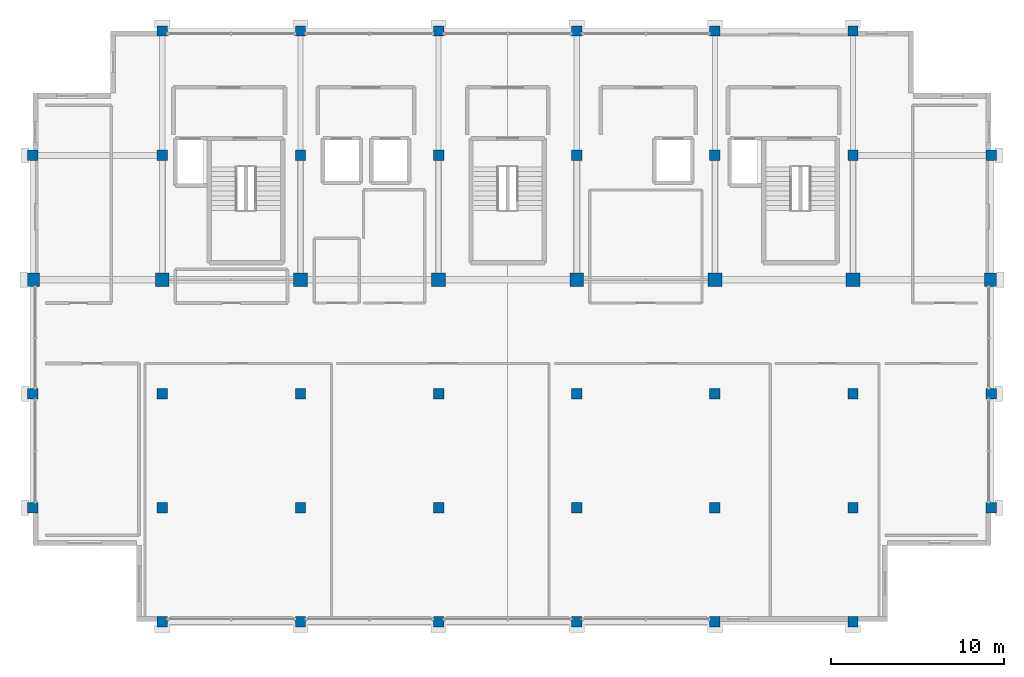
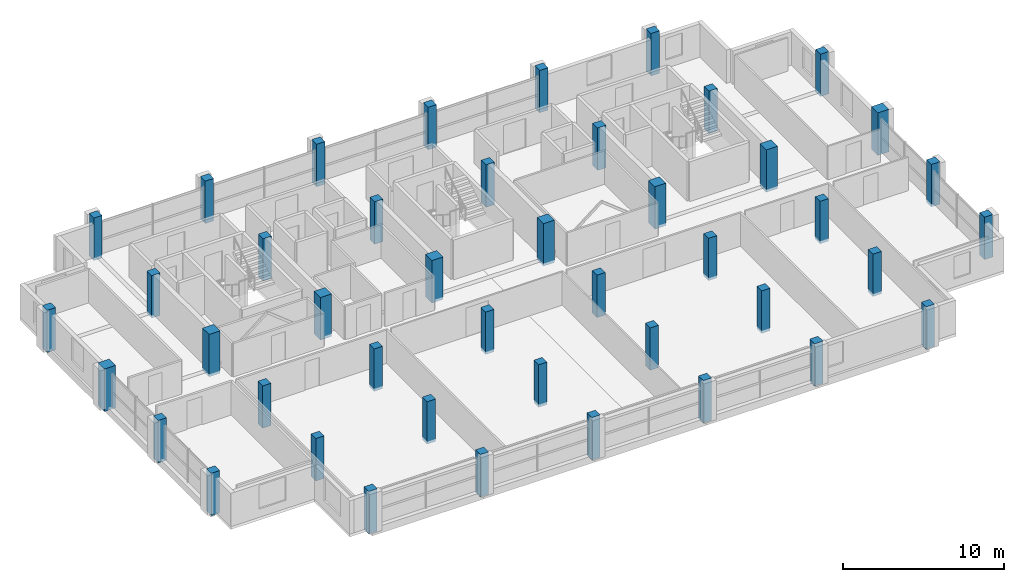
# One storey, part 1 of 24: 44 columns.
"""IFC4 building model written with IfcOpenShell, lengths in metres."""

from ifc_helpers import new_model, si_unit, direction, frame, origin, origin_2d, place, context, subcontext, project, spatial, rectangle, extrude, material, material_profile, profile_set, type_object, element, save


model = new_model("IFC4")

# Units and contexts
model_context = context("Model", 3, precision=1e-05, world=origin(), true_north=direction((0.0, 1.0)))
body_context = subcontext(model_context, "Body", "Model", "MODEL_VIEW")
ifc_project = project(units=[si_unit("LENGTHUNIT", "METRE"), si_unit("AREAUNIT", "SQUARE_METRE"), si_unit("VOLUMEUNIT", "CUBIC_METRE"), si_unit("PLANEANGLEUNIT", "RADIAN"), si_unit("MASSUNIT", "GRAM", prefix="KILO")], contexts=[model_context])

# Site, building, storey
site_placement = place(None, origin())
site = spatial("IfcSite", under=ifc_project, at=site_placement, CompositionType="ELEMENT")
building_placement = place(site_placement, origin())
building = spatial("IfcBuilding", under=site, at=building_placement, Name="Akrevak Sports Hall", CompositionType="ELEMENT")
storey_placement = place(building_placement, frame((0.0, 0.0, 63.300048828125)))
storey = spatial("IfcBuildingStorey", under=building, at=storey_placement, Name="L16", CompositionType="ELEMENT", Elevation=63.300048828125)

# Columns
ifc_material = material(Name="Concrete C40/50", Category="concrete")
ifc_material_profile_1 = material_profile(ifc_material, rectangle(XDim=0.60009765625, YDim=0.60009765625, at=origin_2d()), Name="RC 600x600", Category="concrete")
ifc_profile_set_1 = profile_set([ifc_material_profile_1], Name="Concrete C40/50")
column_type_1 = type_object("IfcColumnType", Name="STR-COL-RC600", PredefinedType="COLUMN", material=ifc_profile_set_1)
for number, where, z_axis, x_axis, name in (
    (1, (52.5, 42.0, -0.2099609375), (0.0, 0.0, 1.0), (1.0, 0.0, 0.0), "Column 8/G (L16)"),
    (2, (52.5, 48.60009765625, -0.2099609375), (0.0, 0.0, 1.0), (1.0, 0.0, 0.0), "Column 8/H (L16)"),
    (3, (52.5, 62.39990234375, -0.2099609375), (0.0, 0.0, 1.0), (1.0, 0.0, 0.0), "Column 8/J (L16)"),
    (4, (60.0, 35.39990234375, -0.2099609375), (0.0, 0.0, 1.0), (1.0, 0.0, 0.0), "Column 9/F (L16)"),
    (5, (60.0, 42.0, -0.2099609375), (0.0, 0.0, 1.0), (1.0, 0.0, 0.0), "Column 9/G (L16)"),
    (6, (60.0, 48.60009765625, -0.2099609375), (0.0, 0.0, 1.0), (1.0, 0.0, 0.0), "Column 9/H (L16)"),
    (7, (60.0, 62.39990234375, -0.2099609375), (0.0, 0.0, 1.0), (1.0, 0.0, 0.0), "Column 9/J (L16)"),
    (8, (60.0, 69.60009765625, -0.2099609375), (0.0, 0.0, 1.0), (1.0, 0.0, 0.0), "Column 9/K (L16)"),
    (9, (68.0, 35.39990234375, -0.2099609375), (0.0, 0.0, 1.0), (1.0, 0.0, 0.0), "Column 10/F (L16)"),
    (10, (68.0, 42.0, -0.2099609375), (0.0, 0.0, 1.0), (1.0, 0.0, 0.0), "Column 10/G (L16)"),
    (11, (68.0, 48.60009765625, -0.2099609375), (0.0, 0.0, 1.0), (1.0, 0.0, 0.0), "Column 10/H (L16)"),
    (12, (68.0, 62.39990234375, -0.2099609375), (0.0, 0.0, 1.0), (1.0, 0.0, 0.0), "Column 10/J (L16)"),
    (13, (68.0, 69.60009765625, -0.2099609375), (0.0, 0.0, 1.0), (1.0, 0.0, 0.0), "Column 10/K (L16)"),
    (14, (76.0, 35.39990234375, -0.2099609375), (0.0, 0.0, 1.0), (1.0, 0.0, 0.0), "Column 11/F (L16)"),
    (15, (76.0, 42.0, -0.2099609375), (0.0, 0.0, 1.0), (1.0, 0.0, 0.0), "Column 11/G (L16)"),
    (16, (76.0, 48.60009765625, -0.2099609375), (0.0, 0.0, 1.0), (1.0, 0.0, 0.0), "Column 11/H (L16)"),
    (17, (76.0, 62.39990234375, -0.2099609375), (0.0, 0.0, 1.0), (1.0, 0.0, 0.0), "Column 11/J (L16)"),
    (18, (76.0, 69.60009765625, -0.2099609375), (0.0, 0.0, 1.0), (1.0, 0.0, 0.0), "Column 11/K (L16)"),
    (19, (84.0, 35.39990234375, -0.2099609375), (0.0, 0.0, 1.0), (1.0, 0.0, 0.0), "Column 12/F (L16)"),
    (20, (84.0, 42.0, -0.2099609375), (0.0, 0.0, 1.0), (1.0, 0.0, 0.0), "Column 12/G (L16)"),
    (21, (84.0, 48.60009765625, -0.2099609375), (0.0, 0.0, 1.0), (1.0, 0.0, 0.0), "Column 12/H (L16)"),
    (22, (84.0, 62.39990234375, -0.2099609375), (0.0, 0.0, 1.0), (1.0, 0.0, 0.0), "Column 12/J (L16)"),
    (23, (84.0, 69.60009765625, -0.2099609375), (0.0, 0.0, 1.0), (1.0, 0.0, 0.0), "Column 12/K (L16)"),
    (24, (92.0, 35.39990234375, -0.2099609375), (0.0, 0.0, 1.0), (1.0, 0.0, 0.0), "Column 13/F (L16)"),
    (25, (92.0, 42.0, -0.2099609375), (0.0, 0.0, 1.0), (1.0, 0.0, 0.0), "Column 13/G (L16)"),
    (26, (92.0, 48.60009765625, -0.2099609375), (0.0, 0.0, 1.0), (1.0, 0.0, 0.0), "Column 13/H (L16)"),
    (27, (92.0, 62.39990234375, -0.2099609375), (0.0, 0.0, 1.0), (1.0, 0.0, 0.0), "Column 13/J (L16)"),
    (28, (92.0, 69.60009765625, -0.2099609375), (0.0, 0.0, 1.0), (1.0, 0.0, 0.0), "Column 13/K (L16)"),
    (29, (100.0, 35.39990234375, -0.2099609375), (0.0, 0.0, 1.0), (1.0, 0.0, 0.0), "Column 14/F (L16)"),
    (30, (100.0, 42.0, -0.2099609375), (0.0, 0.0, 1.0), (1.0, 0.0, 0.0), "Column 14/G (L16)"),
    (31, (100.0, 48.60009765625, -0.2099609375), (0.0, 0.0, 1.0), (1.0, 0.0, 0.0), "Column 14/H (L16)"),
    (32, (100.0, 62.39990234375, -0.2099609375), (0.0, 0.0, 1.0), (1.0, 0.0, 0.0), "Column 14/J (L16)"),
    (33, (100.0, 69.60009765625, -0.2099609375), (0.0, 0.0, 1.0), (1.0, 0.0, 0.0), "Column 14/K (L16)"),
    (34, (108.0, 42.0, -0.2099609375), (0.0, 0.0, 1.0), (1.0, 0.0, 0.0), "Column 15/G (L16)"),
    (35, (108.0, 48.60009765625, -0.2099609375), (0.0, 0.0, 1.0), (1.0, 0.0, 0.0), "Column 15/H (L16)"),
    (36, (108.0, 62.39990234375, -0.2099609375), (0.0, 0.0, 1.0), (1.0, 0.0, 0.0), "Column 15/J (L16)"),
):
    element("IfcColumn", number, at=place(storey_placement, frame(where, z_axis=z_axis, x_axis=x_axis)), inside=storey, type_object=column_type_1, Name=name, PredefinedType="COLUMN", context=body_context, shape_type="SweptSolid", body=[
        extrude(rectangle(XDim=0.60009765625, YDim=0.60009765625, at=origin_2d()), origin(), (0.0, 0.0, 1.0), 3.219970703125),
    ])
ifc_material_profile_2 = material_profile(ifc_material, rectangle(XDim=0.800048828125, YDim=0.800048828125, at=origin_2d()), Name="RC 800x800", Category="concrete")
ifc_profile_set_2 = profile_set([ifc_material_profile_2], Name="Concrete C40/50")
column_type_2 = type_object("IfcColumnType", Name="STR-COL-RC800", PredefinedType="COLUMN", material=ifc_profile_set_2)
for number, where, z_axis, x_axis, name in (
    (37, (52.5, 55.199951171875, -0.2099609375), (0.0, 0.0, 1.0), (1.0, 0.0, 0.0), "Column 8/I (L16)"),
    (38, (60.0, 55.199951171875, -0.2099609375), (0.0, 0.0, 1.0), (1.0, 0.0, 0.0), "Column 9/I (L16)"),
    (39, (68.0, 55.199951171875, -0.2099609375), (0.0, 0.0, 1.0), (1.0, 0.0, 0.0), "Column 10/I (L16)"),
    (40, (76.0, 55.199951171875, -0.2099609375), (0.0, 0.0, 1.0), (1.0, 0.0, 0.0), "Column 11/I (L16)"),
    (41, (84.0, 55.199951171875, -0.2099609375), (0.0, 0.0, 1.0), (1.0, 0.0, 0.0), "Column 12/I (L16)"),
    (42, (92.0, 55.199951171875, -0.2099609375), (0.0, 0.0, 1.0), (1.0, 0.0, 0.0), "Column 13/I (L16)"),
    (43, (100.0, 55.199951171875, -0.2099609375), (0.0, 0.0, 1.0), (1.0, 0.0, 0.0), "Column 14/I (L16)"),
    (44, (108.0, 55.199951171875, -0.2099609375), (0.0, 0.0, 1.0), (1.0, 0.0, 0.0), "Column 15/I (L16)"),
):
    element("IfcColumn", number, at=place(storey_placement, frame(where, z_axis=z_axis, x_axis=x_axis)), inside=storey, type_object=column_type_2, Name=name, PredefinedType="COLUMN", context=body_context, shape_type="SweptSolid", body=[
        extrude(rectangle(XDim=0.800048828125, YDim=0.800048828125, at=origin_2d()), origin(), (0.0, 0.0, 1.0), 3.219970703125),
    ])

save(model, "model.ifc")
